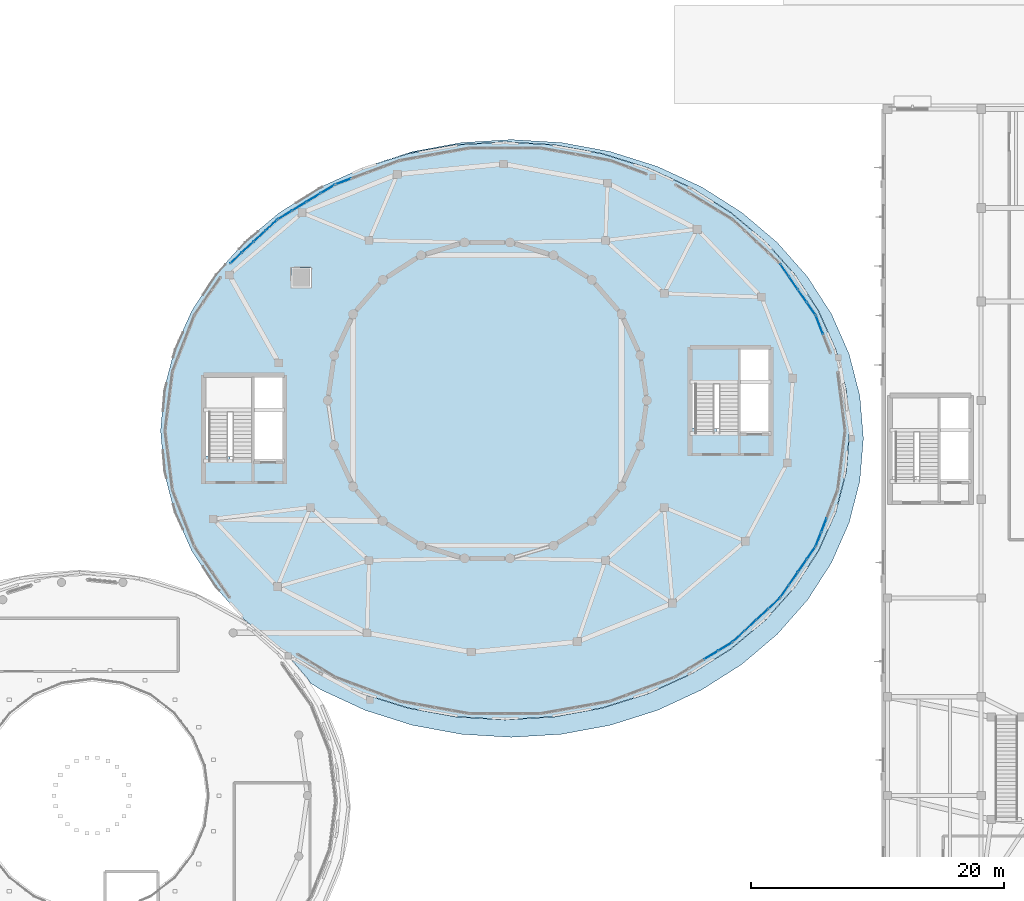
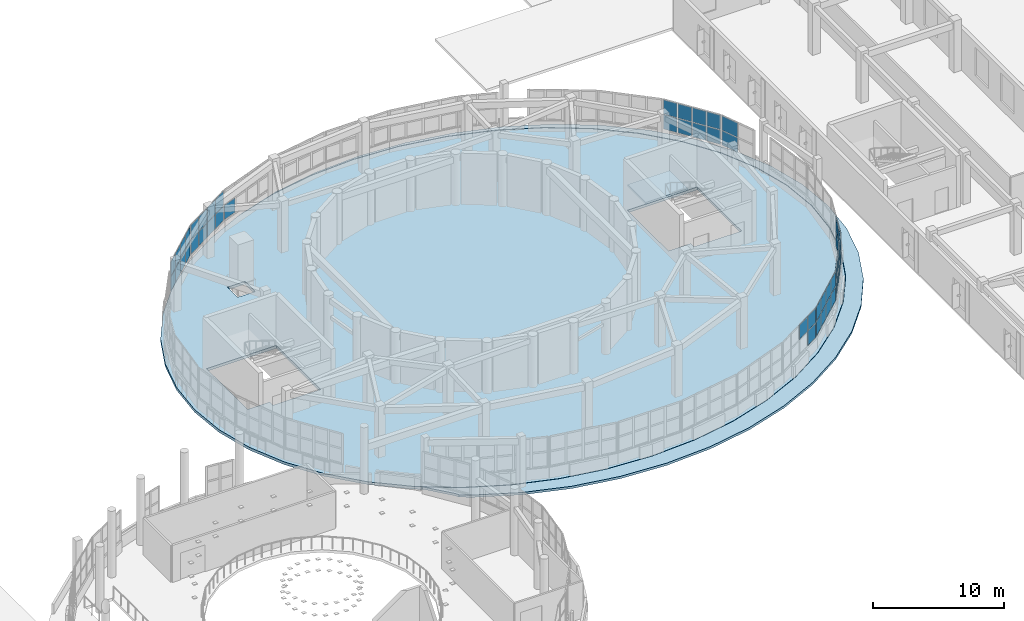
# One storey, part 77 of 105: 50 plates, 3 slabs, 10 elements without a shape of their own.
"""IFC4 building model written with IfcOpenShell, lengths in metres."""

from ifc_helpers import new_model, si_unit, direction, frame, origin, origin_2d, place, context, subcontext, project, spatial, polyline, rectangle, outline, extrude, material, layer, layer_set, type_object, element, aggregate, save


model = new_model("IFC4")

# Units and contexts
model_context = context("Model", 3, precision=1e-05, world=origin(), true_north=direction((0.0, 1.0)))
body_context = subcontext(model_context, "Body", "Model", "MODEL_VIEW")
ifc_project = project(units=[si_unit("LENGTHUNIT", "METRE"), si_unit("AREAUNIT", "SQUARE_METRE"), si_unit("VOLUMEUNIT", "CUBIC_METRE"), si_unit("PLANEANGLEUNIT", "RADIAN"), si_unit("MASSUNIT", "GRAM", prefix="KILO")], contexts=[model_context])

# Site, building, storey
site_placement = place(None, origin())
site = spatial("IfcSite", under=ifc_project, at=site_placement, CompositionType="ELEMENT")
building_placement = place(site_placement, origin())
building = spatial("IfcBuilding", under=site, at=building_placement, Name="Pelvatis Terrace Science Centre", CompositionType="ELEMENT")
storey_placement = place(building_placement, frame((0.0, 0.0, 10.199951171875)))
storey = spatial("IfcBuildingStorey", under=building, at=storey_placement, Name="L02", CompositionType="ELEMENT", Elevation=10.199951171875)

# Curtain wall, plates
ifc_material_1 = material(Name="Bronze-anodised aluminium and laminated glass", Category="aluminium")
ifc_layer_1 = layer(ifc_material_1, 0.179931640625)
ifc_layer_set_1 = layer_set([ifc_layer_1], Name="Bronze-anodised aluminium and laminated glass")
curtain_wall_type = type_object("IfcCurtainWallType", Name="CW-RIBBON-A", PredefinedType="NOTDEFINED", material=ifc_layer_set_1)
curtain_wall_1_placement = place(storey_placement, origin())
curtain_wall_1 = element("IfcCurtainWall", 1, at=curtain_wall_1_placement, inside=storey, type_object=curtain_wall_type, Name="Ribbon curtain wall CW-155 (L02)", PredefinedType="NOTDEFINED")
ifc_material_2 = material(Name="Low-e laminated solar-control double glazing", Category="glass")
ifc_layer_2 = layer(ifc_material_2, 0.035888671875)
ifc_layer_set_2 = layer_set([ifc_layer_2], Name="Low-e laminated solar-control double glazing")
plate_type = type_object("IfcPlateType", Name="CWP-IGU-36", PredefinedType="CURTAIN_PANEL", material=ifc_layer_set_2)
plate_1_placement = place(storey_placement, frame((135.428955078125, 91.7587890625, 1.080078125), z_axis=(0.0, 0.0, 1.0), x_axis=(-0.36221346701, 0.932095169131, 0.0)))
plate_1 = element("IfcPlate", 2, at=plate_1_placement, type_object=plate_type, Name="CW-155 panel 2.1", PredefinedType="CURTAIN_PANEL", context=body_context, shape_type="SweptSolid", body=[
    extrude(rectangle(XDim=1.537353515625, YDim=0.035888671875, at=origin_2d()), origin(), (0.0, 0.0, 1.0), 1.330078125),
])
plate_2_placement = place(storey_placement, frame((135.428955078125, 91.7587890625, 2.469970703125), z_axis=(0.0, 0.0, 1.0), x_axis=(-0.36221346701, 0.932095169131, 0.0)))
plate_2 = element("IfcPlate", 3, at=plate_2_placement, type_object=plate_type, Name="CW-155 panel 2.2", PredefinedType="CURTAIN_PANEL", context=body_context, shape_type="SweptSolid", body=[
    extrude(rectangle(XDim=1.537353515625, YDim=0.035888671875, at=origin_2d()), origin(), (0.0, 0.0, 1.0), 1.330078125),
])
aggregate(curtain_wall_1, [plate_1, plate_2])

curtain_wall_2_placement = place(storey_placement, origin())
curtain_wall_2 = element("IfcCurtainWall", 4, at=curtain_wall_2_placement, inside=storey, type_object=curtain_wall_type, Name="Ribbon curtain wall CW-156 (L02)", PredefinedType="NOTDEFINED")
plate_3_placement = place(storey_placement, frame((134.769287109375, 93.051513671875, 1.080078125), z_axis=(0.0, 0.0, 1.0), x_axis=(-0.568203120626, 0.822888336113, 0.0)))
plate_3 = element("IfcPlate", 5, at=plate_3_placement, type_object=plate_type, Name="CW-156 panel 1.1", PredefinedType="CURTAIN_PANEL", context=body_context, shape_type="SweptSolid", body=[
    extrude(rectangle(XDim=1.144775390625, YDim=0.035888671875, at=origin_2d()), origin(), (0.0, 0.0, 1.0), 1.330078125),
])
plate_4_placement = place(storey_placement, frame((134.769287109375, 93.051513671875, 2.469970703125), z_axis=(0.0, 0.0, 1.0), x_axis=(-0.568203120626, 0.822888336113, 0.0)))
plate_4 = element("IfcPlate", 6, at=plate_4_placement, type_object=plate_type, Name="CW-156 panel 1.2", PredefinedType="CURTAIN_PANEL", context=body_context, shape_type="SweptSolid", body=[
    extrude(rectangle(XDim=1.144775390625, YDim=0.035888671875, at=origin_2d()), origin(), (0.0, 0.0, 1.0), 1.330078125),
])
plate_5_placement = place(storey_placement, frame((134.076171875, 94.055419921875, 1.080078125), z_axis=(0.0, 0.0, 1.0), x_axis=(-0.568203120626, 0.822888336113, 0.0)))
plate_5 = element("IfcPlate", 7, at=plate_5_placement, type_object=plate_type, Name="CW-156 panel 2.1", PredefinedType="CURTAIN_PANEL", context=body_context, shape_type="SweptSolid", body=[
    extrude(rectangle(XDim=1.1748046875, YDim=0.035888671875, at=origin_2d()), origin(), (0.0, 0.0, 1.0), 1.330078125),
])
plate_6_placement = place(storey_placement, frame((134.076171875, 94.055419921875, 2.469970703125), z_axis=(0.0, 0.0, 1.0), x_axis=(-0.568203120626, 0.822888336113, 0.0)))
plate_6 = element("IfcPlate", 8, at=plate_6_placement, type_object=plate_type, Name="CW-156 panel 2.2", PredefinedType="CURTAIN_PANEL", context=body_context, shape_type="SweptSolid", body=[
    extrude(rectangle(XDim=1.1748046875, YDim=0.035888671875, at=origin_2d()), origin(), (0.0, 0.0, 1.0), 1.330078125),
])
plate_7_placement = place(storey_placement, frame((133.37451171875, 95.071533203125, 1.080078125), z_axis=(0.0, 0.0, 1.0), x_axis=(-0.568203120626, 0.822888336113, 0.0)))
plate_7 = element("IfcPlate", 9, at=plate_7_placement, type_object=plate_type, Name="CW-156 panel 3.1", PredefinedType="CURTAIN_PANEL", context=body_context, shape_type="SweptSolid", body=[
    extrude(rectangle(XDim=1.1748046875, YDim=0.035888671875, at=origin_2d()), origin(), (0.0, 0.0, 1.0), 1.330078125),
])
plate_8_placement = place(storey_placement, frame((133.37451171875, 95.071533203125, 2.469970703125), z_axis=(0.0, 0.0, 1.0), x_axis=(-0.568203120626, 0.822888336113, 0.0)))
plate_8 = element("IfcPlate", 10, at=plate_8_placement, type_object=plate_type, Name="CW-156 panel 3.2", PredefinedType="CURTAIN_PANEL", context=body_context, shape_type="SweptSolid", body=[
    extrude(rectangle(XDim=1.1748046875, YDim=0.035888671875, at=origin_2d()), origin(), (0.0, 0.0, 1.0), 1.330078125),
])
plate_9_placement = place(storey_placement, frame((132.681396484375, 96.075439453125, 1.080078125), z_axis=(0.0, 0.0, 1.0), x_axis=(-0.568203120626, 0.822888336113, 0.0)))
plate_9 = element("IfcPlate", 11, at=plate_9_placement, type_object=plate_type, Name="CW-156 panel 4.1", PredefinedType="CURTAIN_PANEL", context=body_context, shape_type="SweptSolid", body=[
    extrude(rectangle(XDim=1.144775390625, YDim=0.035888671875, at=origin_2d()), origin(), (0.0, 0.0, 1.0), 1.330078125),
])
plate_10_placement = place(storey_placement, frame((132.681396484375, 96.075439453125, 2.469970703125), z_axis=(0.0, 0.0, 1.0), x_axis=(-0.568203120626, 0.822888336113, 0.0)))
plate_10 = element("IfcPlate", 12, at=plate_10_placement, type_object=plate_type, Name="CW-156 panel 4.2", PredefinedType="CURTAIN_PANEL", context=body_context, shape_type="SweptSolid", body=[
    extrude(rectangle(XDim=1.144775390625, YDim=0.035888671875, at=origin_2d()), origin(), (0.0, 0.0, 1.0), 1.330078125),
])
aggregate(curtain_wall_2, [plate_3, plate_4, plate_5, plate_6, plate_7, plate_8, plate_9, plate_10])

# Curtain wall, plate
curtain_wall_3_placement = place(storey_placement, origin())
curtain_wall_3 = element("IfcCurtainWall", 13, at=curtain_wall_3_placement, inside=storey, type_object=curtain_wall_type, Name="Ribbon curtain wall CW-163 (L02)", PredefinedType="NOTDEFINED")
plate_11_placement = place(storey_placement, frame((97.830078125, 103.086181640625, 1.080078125), z_axis=(0.0, 0.0, 1.0), x_axis=(-0.937171415318, -0.348869228095, 0.0)))
plate_11 = element("IfcPlate", 14, at=plate_11_placement, type_object=plate_type, Name="CW-163 panel 4.1", PredefinedType="CURTAIN_PANEL", context=body_context, shape_type="SweptSolid", body=[
    extrude(rectangle(XDim=1.27783203125, YDim=0.035888671875, at=origin_2d()), origin(), (0.0, 0.0, 1.0), 1.330078125),
])
aggregate(curtain_wall_3, [plate_11])

# Curtain wall, plates
curtain_wall_4_placement = place(storey_placement, origin())
curtain_wall_4 = element("IfcCurtainWall", 15, at=curtain_wall_4_placement, inside=storey, type_object=curtain_wall_type, Name="Ribbon curtain wall CW-164 (L02)", PredefinedType="NOTDEFINED")
plate_12_placement = place(storey_placement, frame((96.594482421875, 102.48974609375, 1.080078125), z_axis=(0.0, 0.0, 1.0), x_axis=(-0.854658677279, -0.519190278561, 0.0)))
plate_12 = element("IfcPlate", 16, at=plate_12_placement, type_object=plate_type, Name="CW-164 panel 1.1", PredefinedType="CURTAIN_PANEL", context=body_context, shape_type="SweptSolid", body=[
    extrude(rectangle(XDim=1.23828125, YDim=0.035888671875, at=origin_2d()), origin(), (0.0, 0.0, 1.0), 1.330078125),
])
plate_13_placement = place(storey_placement, frame((96.594482421875, 102.48974609375, 2.469970703125), z_axis=(0.0, 0.0, 1.0), x_axis=(-0.854658677279, -0.519190278561, 0.0)))
plate_13 = element("IfcPlate", 17, at=plate_13_placement, type_object=plate_type, Name="CW-164 panel 1.2", PredefinedType="CURTAIN_PANEL", context=body_context, shape_type="SweptSolid", body=[
    extrude(rectangle(XDim=1.23828125, YDim=0.035888671875, at=origin_2d()), origin(), (0.0, 0.0, 1.0), 1.330078125),
])
plate_14_placement = place(storey_placement, frame((95.47216796875, 101.807861328125, 1.080078125), z_axis=(0.0, 0.0, 1.0), x_axis=(-0.854658677279, -0.519190278561, 0.0)))
plate_14 = element("IfcPlate", 18, at=plate_14_placement, type_object=plate_type, Name="CW-164 panel 2.1", PredefinedType="CURTAIN_PANEL", context=body_context, shape_type="SweptSolid", body=[
    extrude(rectangle(XDim=1.268310546875, YDim=0.035888671875, at=origin_2d()), origin(), (0.0, 0.0, 1.0), 1.330078125),
])
plate_15_placement = place(storey_placement, frame((95.47216796875, 101.807861328125, 2.469970703125), z_axis=(0.0, 0.0, 1.0), x_axis=(-0.854658677279, -0.519190278561, 0.0)))
plate_15 = element("IfcPlate", 19, at=plate_15_placement, type_object=plate_type, Name="CW-164 panel 2.2", PredefinedType="CURTAIN_PANEL", context=body_context, shape_type="SweptSolid", body=[
    extrude(rectangle(XDim=1.268310546875, YDim=0.035888671875, at=origin_2d()), origin(), (0.0, 0.0, 1.0), 1.330078125),
])
plate_16_placement = place(storey_placement, frame((94.336669921875, 101.1181640625, 1.080078125), z_axis=(0.0, 0.0, 1.0), x_axis=(-0.854658677279, -0.519190278561, 0.0)))
plate_16 = element("IfcPlate", 20, at=plate_16_placement, type_object=plate_type, Name="CW-164 panel 3.1", PredefinedType="CURTAIN_PANEL", context=body_context, shape_type="SweptSolid", body=[
    extrude(rectangle(XDim=1.268310546875, YDim=0.035888671875, at=origin_2d()), origin(), (0.0, 0.0, 1.0), 1.330078125),
])
plate_17_placement = place(storey_placement, frame((94.336669921875, 101.1181640625, 2.469970703125), z_axis=(0.0, 0.0, 1.0), x_axis=(-0.854658677279, -0.519190278561, 0.0)))
plate_17 = element("IfcPlate", 21, at=plate_17_placement, type_object=plate_type, Name="CW-164 panel 3.2", PredefinedType="CURTAIN_PANEL", context=body_context, shape_type="SweptSolid", body=[
    extrude(rectangle(XDim=1.268310546875, YDim=0.035888671875, at=origin_2d()), origin(), (0.0, 0.0, 1.0), 1.330078125),
])
plate_18_placement = place(storey_placement, frame((93.21435546875, 100.436279296875, 1.080078125), z_axis=(0.0, 0.0, 1.0), x_axis=(-0.854658677279, -0.519190278561, 0.0)))
plate_18 = element("IfcPlate", 22, at=plate_18_placement, type_object=plate_type, Name="CW-164 panel 4.1", PredefinedType="CURTAIN_PANEL", context=body_context, shape_type="SweptSolid", body=[
    extrude(rectangle(XDim=1.23828125, YDim=0.035888671875, at=origin_2d()), origin(), (0.0, 0.0, 1.0), 1.330078125),
])
plate_19_placement = place(storey_placement, frame((93.21435546875, 100.436279296875, 2.469970703125), z_axis=(0.0, 0.0, 1.0), x_axis=(-0.854658677279, -0.519190278561, 0.0)))
plate_19 = element("IfcPlate", 23, at=plate_19_placement, type_object=plate_type, Name="CW-164 panel 4.2", PredefinedType="CURTAIN_PANEL", context=body_context, shape_type="SweptSolid", body=[
    extrude(rectangle(XDim=1.23828125, YDim=0.035888671875, at=origin_2d()), origin(), (0.0, 0.0, 1.0), 1.330078125),
])
aggregate(curtain_wall_4, [plate_12, plate_13, plate_14, plate_15, plate_16, plate_17, plate_18, plate_19])

curtain_wall_5_placement = place(storey_placement, origin())
curtain_wall_5 = element("IfcCurtainWall", 24, at=curtain_wall_5_placement, inside=storey, type_object=curtain_wall_type, Name="Ribbon curtain wall CW-165 (L02)", PredefinedType="NOTDEFINED")
plate_20_placement = place(storey_placement, frame((92.1533203125, 99.637451171875, 1.080078125), z_axis=(0.0, 0.0, 1.0), x_axis=(-0.732776119466, -0.680469807369, 0.0)))
plate_20 = element("IfcPlate", 25, at=plate_20_placement, type_object=plate_type, Name="CW-165 panel 1.1", PredefinedType="CURTAIN_PANEL", context=body_context, shape_type="SweptSolid", body=[
    extrude(rectangle(XDim=1.19140625, YDim=0.035888671875, at=origin_2d()), origin(), (0.0, 0.0, 1.0), 1.330078125),
])
plate_21_placement = place(storey_placement, frame((92.1533203125, 99.637451171875, 2.469970703125), z_axis=(0.0, 0.0, 1.0), x_axis=(-0.732776119466, -0.680469807369, 0.0)))
plate_21 = element("IfcPlate", 26, at=plate_21_placement, type_object=plate_type, Name="CW-165 panel 1.2", PredefinedType="CURTAIN_PANEL", context=body_context, shape_type="SweptSolid", body=[
    extrude(rectangle(XDim=1.19140625, YDim=0.035888671875, at=origin_2d()), origin(), (0.0, 0.0, 1.0), 1.330078125),
])
plate_22_placement = place(storey_placement, frame((91.225341796875, 98.775634765625, 1.080078125), z_axis=(0.0, 0.0, 1.0), x_axis=(-0.732776119466, -0.680469807369, 0.0)))
plate_22 = element("IfcPlate", 27, at=plate_22_placement, type_object=plate_type, Name="CW-165 panel 2.1", PredefinedType="CURTAIN_PANEL", context=body_context, shape_type="SweptSolid", body=[
    extrude(rectangle(XDim=1.221435546875, YDim=0.035888671875, at=origin_2d()), origin(), (0.0, 0.0, 1.0), 1.330078125),
])
plate_23_placement = place(storey_placement, frame((91.225341796875, 98.775634765625, 2.469970703125), z_axis=(0.0, 0.0, 1.0), x_axis=(-0.732776119466, -0.680469807369, 0.0)))
plate_23 = element("IfcPlate", 28, at=plate_23_placement, type_object=plate_type, Name="CW-165 panel 2.2", PredefinedType="CURTAIN_PANEL", context=body_context, shape_type="SweptSolid", body=[
    extrude(rectangle(XDim=1.221435546875, YDim=0.035888671875, at=origin_2d()), origin(), (0.0, 0.0, 1.0), 1.330078125),
])
plate_24_placement = place(storey_placement, frame((90.286376953125, 97.90380859375, 1.080078125), z_axis=(0.0, 0.0, 1.0), x_axis=(-0.732776119466, -0.680469807369, 0.0)))
plate_24 = element("IfcPlate", 29, at=plate_24_placement, type_object=plate_type, Name="CW-165 panel 3.1", PredefinedType="CURTAIN_PANEL", context=body_context, shape_type="SweptSolid", body=[
    extrude(rectangle(XDim=1.221435546875, YDim=0.035888671875, at=origin_2d()), origin(), (0.0, 0.0, 1.0), 1.330078125),
])
plate_25_placement = place(storey_placement, frame((90.286376953125, 97.90380859375, 2.469970703125), z_axis=(0.0, 0.0, 1.0), x_axis=(-0.732776119466, -0.680469807369, 0.0)))
plate_25 = element("IfcPlate", 30, at=plate_25_placement, type_object=plate_type, Name="CW-165 panel 3.2", PredefinedType="CURTAIN_PANEL", context=body_context, shape_type="SweptSolid", body=[
    extrude(rectangle(XDim=1.221435546875, YDim=0.035888671875, at=origin_2d()), origin(), (0.0, 0.0, 1.0), 1.330078125),
])
plate_26_placement = place(storey_placement, frame((89.3583984375, 97.0419921875, 1.080078125), z_axis=(0.0, 0.0, 1.0), x_axis=(-0.732776119466, -0.680469807369, 0.0)))
plate_26 = element("IfcPlate", 31, at=plate_26_placement, type_object=plate_type, Name="CW-165 panel 4.1", PredefinedType="CURTAIN_PANEL", context=body_context, shape_type="SweptSolid", body=[
    extrude(rectangle(XDim=1.19140625, YDim=0.035888671875, at=origin_2d()), origin(), (0.0, 0.0, 1.0), 1.330078125),
])
plate_27_placement = place(storey_placement, frame((89.3583984375, 97.0419921875, 2.469970703125), z_axis=(0.0, 0.0, 1.0), x_axis=(-0.732776119466, -0.680469807369, 0.0)))
plate_27 = element("IfcPlate", 32, at=plate_27_placement, type_object=plate_type, Name="CW-165 panel 4.2", PredefinedType="CURTAIN_PANEL", context=body_context, shape_type="SweptSolid", body=[
    extrude(rectangle(XDim=1.19140625, YDim=0.035888671875, at=origin_2d()), origin(), (0.0, 0.0, 1.0), 1.330078125),
])
aggregate(curtain_wall_5, [plate_20, plate_21, plate_22, plate_23, plate_24, plate_25, plate_26, plate_27])

curtain_wall_6_placement = place(storey_placement, origin())
curtain_wall_6 = element("IfcCurtainWall", 33, at=curtain_wall_6_placement, inside=storey, type_object=curtain_wall_type, Name="Ribbon curtain wall CW-178 (L02)", PredefinedType="NOTDEFINED")
plate_28_placement = place(storey_placement, frame((126.86328125, 65.681884765625, 2.469970703125), z_axis=(0.0, 0.0, 1.0), x_axis=(0.854658677279, 0.519190278561, 0.0)))
plate_28 = element("IfcPlate", 34, at=plate_28_placement, type_object=plate_type, Name="CW-178 panel 3.2", PredefinedType="CURTAIN_PANEL", context=body_context, shape_type="SweptSolid", body=[
    extrude(rectangle(XDim=1.268310546875, YDim=0.035888671875, at=origin_2d()), origin(), (0.0, 0.0, 1.0), 1.330078125),
])
plate_29_placement = place(storey_placement, frame((127.98583984375, 66.36376953125, 1.080078125), z_axis=(0.0, 0.0, 1.0), x_axis=(0.854658677279, 0.519190278561, 0.0)))
plate_29 = element("IfcPlate", 35, at=plate_29_placement, type_object=plate_type, Name="CW-178 panel 4.1", PredefinedType="CURTAIN_PANEL", context=body_context, shape_type="SweptSolid", body=[
    extrude(rectangle(XDim=1.23828125, YDim=0.035888671875, at=origin_2d()), origin(), (0.0, 0.0, 1.0), 1.330078125),
])
plate_30_placement = place(storey_placement, frame((127.98583984375, 66.36376953125, 2.469970703125), z_axis=(0.0, 0.0, 1.0), x_axis=(0.854658677279, 0.519190278561, 0.0)))
plate_30 = element("IfcPlate", 36, at=plate_30_placement, type_object=plate_type, Name="CW-178 panel 4.2", PredefinedType="CURTAIN_PANEL", context=body_context, shape_type="SweptSolid", body=[
    extrude(rectangle(XDim=1.23828125, YDim=0.035888671875, at=origin_2d()), origin(), (0.0, 0.0, 1.0), 1.330078125),
])
aggregate(curtain_wall_6, [plate_28, plate_29, plate_30])

curtain_wall_7_placement = place(storey_placement, origin())
curtain_wall_7 = element("IfcCurtainWall", 37, at=curtain_wall_7_placement, inside=storey, type_object=curtain_wall_type, Name="Ribbon curtain wall CW-179 (L02)", PredefinedType="NOTDEFINED")
plate_31_placement = place(storey_placement, frame((129.046630859375, 67.16259765625, 1.080078125), z_axis=(0.0, 0.0, 1.0), x_axis=(0.732776119466, 0.680469807369, 0.0)))
plate_31 = element("IfcPlate", 38, at=plate_31_placement, type_object=plate_type, Name="CW-179 panel 1.1", PredefinedType="CURTAIN_PANEL", context=body_context, shape_type="SweptSolid", body=[
    extrude(rectangle(XDim=1.19140625, YDim=0.035888671875, at=origin_2d()), origin(), (0.0, 0.0, 1.0), 1.330078125),
])
plate_32_placement = place(storey_placement, frame((129.046630859375, 67.16259765625, 2.469970703125), z_axis=(0.0, 0.0, 1.0), x_axis=(0.732776119466, 0.680469807369, 0.0)))
plate_32 = element("IfcPlate", 39, at=plate_32_placement, type_object=plate_type, Name="CW-179 panel 1.2", PredefinedType="CURTAIN_PANEL", context=body_context, shape_type="SweptSolid", body=[
    extrude(rectangle(XDim=1.19140625, YDim=0.035888671875, at=origin_2d()), origin(), (0.0, 0.0, 1.0), 1.330078125),
])
plate_33_placement = place(storey_placement, frame((129.974609375, 68.0244140625, 1.080078125), z_axis=(0.0, 0.0, 1.0), x_axis=(0.732776119466, 0.680469807369, 0.0)))
plate_33 = element("IfcPlate", 40, at=plate_33_placement, type_object=plate_type, Name="CW-179 panel 2.1", PredefinedType="CURTAIN_PANEL", context=body_context, shape_type="SweptSolid", body=[
    extrude(rectangle(XDim=1.221435546875, YDim=0.035888671875, at=origin_2d()), origin(), (0.0, 0.0, 1.0), 1.330078125),
])
plate_34_placement = place(storey_placement, frame((129.974609375, 68.0244140625, 2.469970703125), z_axis=(0.0, 0.0, 1.0), x_axis=(0.732776119466, 0.680469807369, 0.0)))
plate_34 = element("IfcPlate", 41, at=plate_34_placement, type_object=plate_type, Name="CW-179 panel 2.2", PredefinedType="CURTAIN_PANEL", context=body_context, shape_type="SweptSolid", body=[
    extrude(rectangle(XDim=1.221435546875, YDim=0.035888671875, at=origin_2d()), origin(), (0.0, 0.0, 1.0), 1.330078125),
])
plate_35_placement = place(storey_placement, frame((130.91357421875, 68.896240234375, 1.080078125), z_axis=(0.0, 0.0, 1.0), x_axis=(0.732776119466, 0.680469807369, 0.0)))
plate_35 = element("IfcPlate", 42, at=plate_35_placement, type_object=plate_type, Name="CW-179 panel 3.1", PredefinedType="CURTAIN_PANEL", context=body_context, shape_type="SweptSolid", body=[
    extrude(rectangle(XDim=1.221435546875, YDim=0.035888671875, at=origin_2d()), origin(), (0.0, 0.0, 1.0), 1.330078125),
])
plate_36_placement = place(storey_placement, frame((130.91357421875, 68.896240234375, 2.469970703125), z_axis=(0.0, 0.0, 1.0), x_axis=(0.732776119466, 0.680469807369, 0.0)))
plate_36 = element("IfcPlate", 43, at=plate_36_placement, type_object=plate_type, Name="CW-179 panel 3.2", PredefinedType="CURTAIN_PANEL", context=body_context, shape_type="SweptSolid", body=[
    extrude(rectangle(XDim=1.221435546875, YDim=0.035888671875, at=origin_2d()), origin(), (0.0, 0.0, 1.0), 1.330078125),
])
plate_37_placement = place(storey_placement, frame((131.841552734375, 69.758056640625, 1.080078125), z_axis=(0.0, 0.0, 1.0), x_axis=(0.732776119466, 0.680469807369, 0.0)))
plate_37 = element("IfcPlate", 44, at=plate_37_placement, type_object=plate_type, Name="CW-179 panel 4.1", PredefinedType="CURTAIN_PANEL", context=body_context, shape_type="SweptSolid", body=[
    extrude(rectangle(XDim=1.19140625, YDim=0.035888671875, at=origin_2d()), origin(), (0.0, 0.0, 1.0), 1.330078125),
])
plate_38_placement = place(storey_placement, frame((131.841552734375, 69.758056640625, 2.469970703125), z_axis=(0.0, 0.0, 1.0), x_axis=(0.732776119466, 0.680469807369, 0.0)))
plate_38 = element("IfcPlate", 45, at=plate_38_placement, type_object=plate_type, Name="CW-179 panel 4.2", PredefinedType="CURTAIN_PANEL", context=body_context, shape_type="SweptSolid", body=[
    extrude(rectangle(XDim=1.19140625, YDim=0.035888671875, at=origin_2d()), origin(), (0.0, 0.0, 1.0), 1.330078125),
])
aggregate(curtain_wall_7, [plate_31, plate_32, plate_33, plate_34, plate_35, plate_36, plate_37, plate_38])

curtain_wall_8_placement = place(storey_placement, origin())
curtain_wall_8 = element("IfcCurtainWall", 46, at=curtain_wall_8_placement, inside=storey, type_object=curtain_wall_type, Name="Ribbon curtain wall CW-180 (L02)", PredefinedType="NOTDEFINED")
plate_39_placement = place(storey_placement, frame((132.681396484375, 70.724609375, 1.080078125), z_axis=(0.0, 0.0, 1.0), x_axis=(0.568203120626, 0.822888336113, 0.0)))
plate_39 = element("IfcPlate", 47, at=plate_39_placement, type_object=plate_type, Name="CW-180 panel 1.1", PredefinedType="CURTAIN_PANEL", context=body_context, shape_type="SweptSolid", body=[
    extrude(rectangle(XDim=1.144775390625, YDim=0.035888671875, at=origin_2d()), origin(), (0.0, 0.0, 1.0), 1.330078125),
])
plate_40_placement = place(storey_placement, frame((132.681396484375, 70.724609375, 2.469970703125), z_axis=(0.0, 0.0, 1.0), x_axis=(0.568203120626, 0.822888336113, 0.0)))
plate_40 = element("IfcPlate", 48, at=plate_40_placement, type_object=plate_type, Name="CW-180 panel 1.2", PredefinedType="CURTAIN_PANEL", context=body_context, shape_type="SweptSolid", body=[
    extrude(rectangle(XDim=1.144775390625, YDim=0.035888671875, at=origin_2d()), origin(), (0.0, 0.0, 1.0), 1.330078125),
])
plate_41_placement = place(storey_placement, frame((133.37451171875, 71.728515625, 1.080078125), z_axis=(0.0, 0.0, 1.0), x_axis=(0.568203120626, 0.822888336113, 0.0)))
plate_41 = element("IfcPlate", 49, at=plate_41_placement, type_object=plate_type, Name="CW-180 panel 2.1", PredefinedType="CURTAIN_PANEL", context=body_context, shape_type="SweptSolid", body=[
    extrude(rectangle(XDim=1.1748046875, YDim=0.035888671875, at=origin_2d()), origin(), (0.0, 0.0, 1.0), 1.330078125),
])
plate_42_placement = place(storey_placement, frame((133.37451171875, 71.728515625, 2.469970703125), z_axis=(0.0, 0.0, 1.0), x_axis=(0.568203120626, 0.822888336113, 0.0)))
plate_42 = element("IfcPlate", 50, at=plate_42_placement, type_object=plate_type, Name="CW-180 panel 2.2", PredefinedType="CURTAIN_PANEL", context=body_context, shape_type="SweptSolid", body=[
    extrude(rectangle(XDim=1.1748046875, YDim=0.035888671875, at=origin_2d()), origin(), (0.0, 0.0, 1.0), 1.330078125),
])
plate_43_placement = place(storey_placement, frame((134.076171875, 72.74462890625, 1.080078125), z_axis=(0.0, 0.0, 1.0), x_axis=(0.568203120626, 0.822888336113, 0.0)))
plate_43 = element("IfcPlate", 51, at=plate_43_placement, type_object=plate_type, Name="CW-180 panel 3.1", PredefinedType="CURTAIN_PANEL", context=body_context, shape_type="SweptSolid", body=[
    extrude(rectangle(XDim=1.1748046875, YDim=0.035888671875, at=origin_2d()), origin(), (0.0, 0.0, 1.0), 1.330078125),
])
plate_44_placement = place(storey_placement, frame((134.076171875, 72.74462890625, 2.469970703125), z_axis=(0.0, 0.0, 1.0), x_axis=(0.568203120626, 0.822888336113, 0.0)))
plate_44 = element("IfcPlate", 52, at=plate_44_placement, type_object=plate_type, Name="CW-180 panel 3.2", PredefinedType="CURTAIN_PANEL", context=body_context, shape_type="SweptSolid", body=[
    extrude(rectangle(XDim=1.1748046875, YDim=0.035888671875, at=origin_2d()), origin(), (0.0, 0.0, 1.0), 1.330078125),
])
plate_45_placement = place(storey_placement, frame((134.769287109375, 73.748291015625, 1.080078125), z_axis=(0.0, 0.0, 1.0), x_axis=(0.568203120626, 0.822888336113, 0.0)))
plate_45 = element("IfcPlate", 53, at=plate_45_placement, type_object=plate_type, Name="CW-180 panel 4.1", PredefinedType="CURTAIN_PANEL", context=body_context, shape_type="SweptSolid", body=[
    extrude(rectangle(XDim=1.144775390625, YDim=0.035888671875, at=origin_2d()), origin(), (0.0, 0.0, 1.0), 1.330078125),
])
plate_46_placement = place(storey_placement, frame((134.769287109375, 73.748291015625, 2.469970703125), z_axis=(0.0, 0.0, 1.0), x_axis=(0.568203120626, 0.822888336113, 0.0)))
plate_46 = element("IfcPlate", 54, at=plate_46_placement, type_object=plate_type, Name="CW-180 panel 4.2", PredefinedType="CURTAIN_PANEL", context=body_context, shape_type="SweptSolid", body=[
    extrude(rectangle(XDim=1.144775390625, YDim=0.035888671875, at=origin_2d()), origin(), (0.0, 0.0, 1.0), 1.330078125),
])
aggregate(curtain_wall_8, [plate_39, plate_40, plate_41, plate_42, plate_43, plate_44, plate_45, plate_46])

curtain_wall_9_placement = place(storey_placement, origin())
curtain_wall_9 = element("IfcCurtainWall", 55, at=curtain_wall_9_placement, inside=storey, type_object=curtain_wall_type, Name="Ribbon curtain wall CW-181 (L02)", PredefinedType="NOTDEFINED")
plate_47_placement = place(storey_placement, frame((135.35107421875, 74.8408203125, 1.080078125), z_axis=(0.0, 0.0, 1.0), x_axis=(0.362220522536, 0.932092427313, 0.0)))
plate_47 = element("IfcPlate", 56, at=plate_47_placement, type_object=plate_type, Name="CW-181 panel 1.1", PredefinedType="CURTAIN_PANEL", context=body_context, shape_type="SweptSolid", body=[
    extrude(rectangle(XDim=1.107177734375, YDim=0.035888671875, at=origin_2d()), origin(), (0.0, 0.0, 1.0), 1.330078125),
])
plate_48_placement = place(storey_placement, frame((135.35107421875, 74.8408203125, 2.469970703125), z_axis=(0.0, 0.0, 1.0), x_axis=(0.362220522536, 0.932092427313, 0.0)))
plate_48 = element("IfcPlate", 57, at=plate_48_placement, type_object=plate_type, Name="CW-181 panel 1.2", PredefinedType="CURTAIN_PANEL", context=body_context, shape_type="SweptSolid", body=[
    extrude(rectangle(XDim=1.107177734375, YDim=0.035888671875, at=origin_2d()), origin(), (0.0, 0.0, 1.0), 1.330078125),
])
plate_49_placement = place(storey_placement, frame((135.779296875, 75.942626953125, 1.080078125), z_axis=(0.0, 0.0, 1.0), x_axis=(0.362220522536, 0.932092427313, 0.0)))
plate_49 = element("IfcPlate", 58, at=plate_49_placement, type_object=plate_type, Name="CW-181 panel 2.1", PredefinedType="CURTAIN_PANEL", context=body_context, shape_type="SweptSolid", body=[
    extrude(rectangle(XDim=1.13720703125, YDim=0.035888671875, at=origin_2d()), origin(), (0.0, 0.0, 1.0), 1.330078125),
])
plate_50_placement = place(storey_placement, frame((135.779296875, 75.942626953125, 2.469970703125), z_axis=(0.0, 0.0, 1.0), x_axis=(0.362220522536, 0.932092427313, 0.0)))
plate_50 = element("IfcPlate", 59, at=plate_50_placement, type_object=plate_type, Name="CW-181 panel 2.2", PredefinedType="CURTAIN_PANEL", context=body_context, shape_type="SweptSolid", body=[
    extrude(rectangle(XDim=1.13720703125, YDim=0.035888671875, at=origin_2d()), origin(), (0.0, 0.0, 1.0), 1.330078125),
])
aggregate(curtain_wall_9, [plate_47, plate_48, plate_49, plate_50])

# Slab
ifc_material_3 = material(Name="Concrete C35/45", Category="concrete")
ifc_layer_3 = layer(ifc_material_3, 0.251953125)
ifc_layer_set_3 = layer_set([ifc_layer_3], Name="Concrete C35/45")
slab_type_1 = type_object("IfcSlabType", Name="SLB-FLR-252", PredefinedType="FLOOR", material=ifc_layer_set_3)
slab_1_placement = place(storey_placement, frame((0.0, 0.0, -0.251953125)))
element("IfcSlab", 60, at=slab_1_placement, inside=storey, type_object=slab_type_1, Name="L02 Spiral astronomy lower gallery slab", PredefinedType="FLOOR", context=body_context, shape_type="SweptSolid", body=[
    extrude(outline(polyline([(137.523193359375, 80.1552734375), (136.6982421875, 76.9765625), (135.342041015625, 73.928466796875), (133.482177734375, 71.073486328125), (131.156494140625, 68.46923828125), (128.412109375, 66.1689453125), (125.305419921875, 64.219482421875), (121.8994140625, 62.660400390625), (118.26318359375, 61.523681640625), (114.470947265625, 60.83203125), (110.60009765625, 60.60009765625), (106.72900390625, 60.83203125), (102.93701171875, 61.523681640625), (99.30078125, 62.660400390625), (95.89453125, 64.219482421875), (92.787841796875, 66.1689453125), (90.043701171875, 68.46923828125), (87.718017578125, 71.073486328125), (85.85791015625, 73.928466796875), (84.501708984375, 76.9765625), (83.677001953125, 80.1552734375), (83.39990234375, 83.39990234375), (83.677001953125, 86.644775390625), (84.501708984375, 89.823486328125), (85.85791015625, 92.87158203125), (87.718017578125, 95.7265625), (90.043701171875, 98.330810546875), (92.787841796875, 100.631103515625), (95.89453125, 102.58056640625), (99.30078125, 104.1396484375), (102.93701171875, 105.2763671875), (106.72900390625, 105.968017578125), (110.60009765625, 106.199951171875), (114.470947265625, 105.968017578125), (118.26318359375, 105.2763671875), (121.8994140625, 104.1396484375), (125.305419921875, 102.58056640625), (128.412109375, 100.631103515625), (131.156494140625, 98.330810546875), (133.482177734375, 95.7265625), (135.342041015625, 92.87158203125), (136.6982421875, 89.823486328125), (137.523193359375, 86.644775390625), (137.800048828125, 83.39990234375), (137.523193359375, 80.1552734375)]), holes=[polyline([(86.919921875, 81.419921875), (88.8798828125, 81.419921875), (88.8798828125, 80.919921875), (93.080078125, 80.919921875), (93.080078125, 87.679931640625), (86.919921875, 87.679931640625), (86.919921875, 81.419921875)]), polyline([(125.320068359375, 89.8798828125), (125.320068359375, 83.6201171875), (127.280029296875, 83.6201171875), (127.280029296875, 83.1201171875), (131.47998046875, 83.1201171875), (131.47998046875, 89.8798828125), (125.320068359375, 89.8798828125)]), polyline([(93.72509765625, 96.27490234375), (93.72509765625, 94.72509765625), (95.27490234375, 94.72509765625), (95.27490234375, 96.27490234375), (93.72509765625, 96.27490234375)])]), origin(), (0.0, 0.0, 1.0), 0.251953125),
])

# Stair, slab
ifc_material_4 = material(Name="Concrete C35/45", Category="concrete")
stair_type = type_object("IfcStairType", Name="STR-2RUN-1500-48", PredefinedType="TWO_STRAIGHT_RUN_STAIR", material=ifc_material_4)
stair_placement = place(storey_placement, origin())
stair = element("IfcStair", 61, at=stair_placement, inside=storey, type_object=stair_type, Name="Protected core stair ST-02-L02", PredefinedType="TWO_STRAIGHT_RUN_STAIR")
ifc_material_5 = material(Name="Concrete C35/45", Category="concrete")
ifc_layer_4 = layer(ifc_material_5, 0.199951171875)
ifc_layer_set_4 = layer_set([ifc_layer_4], Name="Concrete C35/45")
slab_type_2 = type_object("IfcSlabType", Name="SLB-LND-200", PredefinedType="LANDING", material=ifc_layer_set_4)
slab_2_placement = place(storey_placement, frame((0.0, 0.0, 2.199951171875)))
slab_2 = element("IfcSlab", 62, at=slab_2_placement, type_object=slab_type_2, Name="ST-02-L02 landing 1", PredefinedType="LANDING", context=body_context, shape_type="SweptSolid", body=[
    extrude(outline(polyline([(125.330078125, 87.10009765625), (129.050048828125, 87.10009765625), (129.050048828125, 89.8701171875), (125.330078125, 89.8701171875), (125.330078125, 87.10009765625)])), origin(), (0.0, 0.0, 1.0), 0.2001953125),
])
aggregate(stair, [slab_2])

# Slab
ifc_material_6 = material(Name="Concrete C35/45", Category="concrete")
ifc_layer_5 = layer(ifc_material_6, 0.214111328125)
ifc_layer_set_5 = layer_set([ifc_layer_5], Name="Concrete C35/45")
slab_type_3 = type_object("IfcSlabType", Name="SLB-ROOF-214", PredefinedType="ROOF", material=ifc_layer_set_5)
slab_3_placement = place(storey_placement, frame((0.0, 0.0, -0.2138671875)))
element("IfcSlab", 63, at=slab_3_placement, inside=storey, type_object=slab_type_3, Name="L02 Drum spiral step collar roof", PredefinedType="ROOF", context=body_context, shape_type="SweptSolid", body=[
    extrude(outline(polyline([(138.616943359375, 79.44140625), (137.77392578125, 76.151123046875), (136.3876953125, 72.99609375), (134.48681640625, 70.041015625), (132.10986328125, 67.34521484375), (129.30517578125, 64.96435546875), (126.1298828125, 62.9462890625), (122.6484375, 61.332763671875), (118.93212890625, 60.156005859375), (115.056396484375, 59.440185546875), (111.10009765625, 59.199951171875), (107.1435546875, 59.440185546875), (103.267822265625, 60.156005859375), (99.551513671875, 61.332763671875), (96.0703125, 62.9462890625), (95.23388671875, 63.477783203125), (95.01806640625, 63.822998046875), (93.308349609375, 65.818603515625), (95.88623046875, 64.201171875), (99.294677734375, 62.641357421875), (102.933349609375, 61.50390625), (106.727783203125, 60.81201171875), (110.598876953125, 60.580078125), (114.47216796875, 60.81201171875), (118.2666015625, 61.50390625), (121.9052734375, 62.641357421875), (125.313720703125, 64.201171875), (128.4228515625, 66.152099609375), (131.17138671875, 68.455810546875), (133.498046875, 71.061279296875), (135.359619140625, 73.9189453125), (136.717041015625, 76.969970703125), (137.54248046875, 80.150146484375), (137.81982421875, 83.401611328125), (137.542724609375, 86.648193359375), (136.716552734375, 89.83154296875), (135.359619140625, 92.881103515625), (133.498046875, 95.73876953125), (131.169189453125, 98.34619140625), (128.425048828125, 100.646484375), (125.313720703125, 102.598876953125), (121.9052734375, 104.15869140625), (118.2666015625, 105.296142578125), (114.474609375, 105.987548828125), (110.601318359375, 106.219970703125), (106.727783203125, 105.98779296875), (102.933349609375, 105.296142578125), (99.36376953125, 104.180419921875), (103.267822265625, 105.444091796875), (107.1435546875, 106.159912109375), (111.10009765625, 106.39990234375), (115.056396484375, 106.159912109375), (118.93212890625, 105.444091796875), (122.6484375, 104.267333984375), (126.1298828125, 102.653564453125), (129.30517578125, 100.6357421875), (132.10986328125, 98.254638671875), (134.48681640625, 95.55908203125), (136.3876953125, 92.603759765625), (137.77392578125, 89.448974609375), (138.616943359375, 86.15869140625), (138.89990234375, 82.800048828125), (138.616943359375, 79.44140625)])), origin(), (0.0, 0.0, 1.0), 0.2138671875),
])

save(model, "model.ifc")
